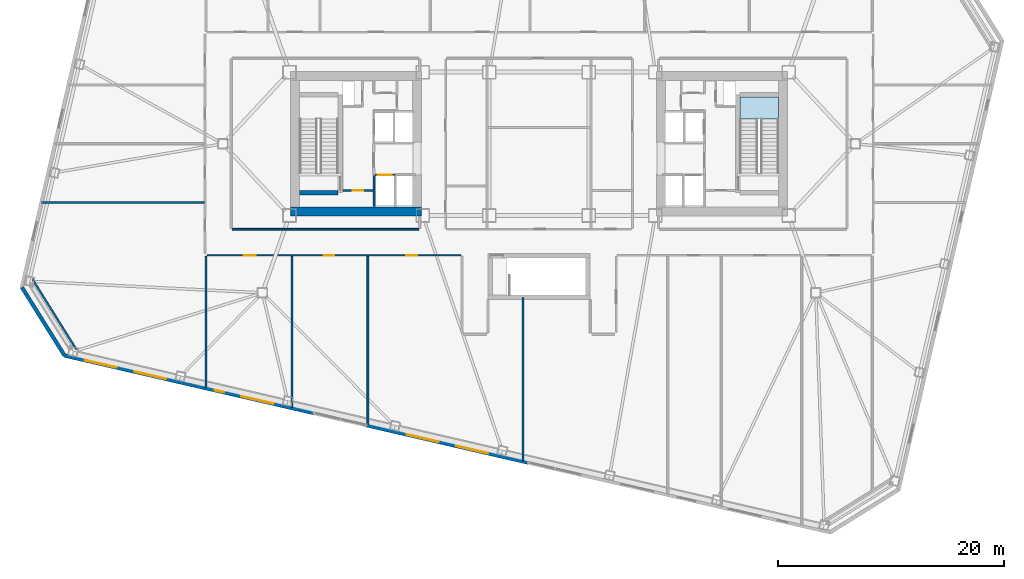
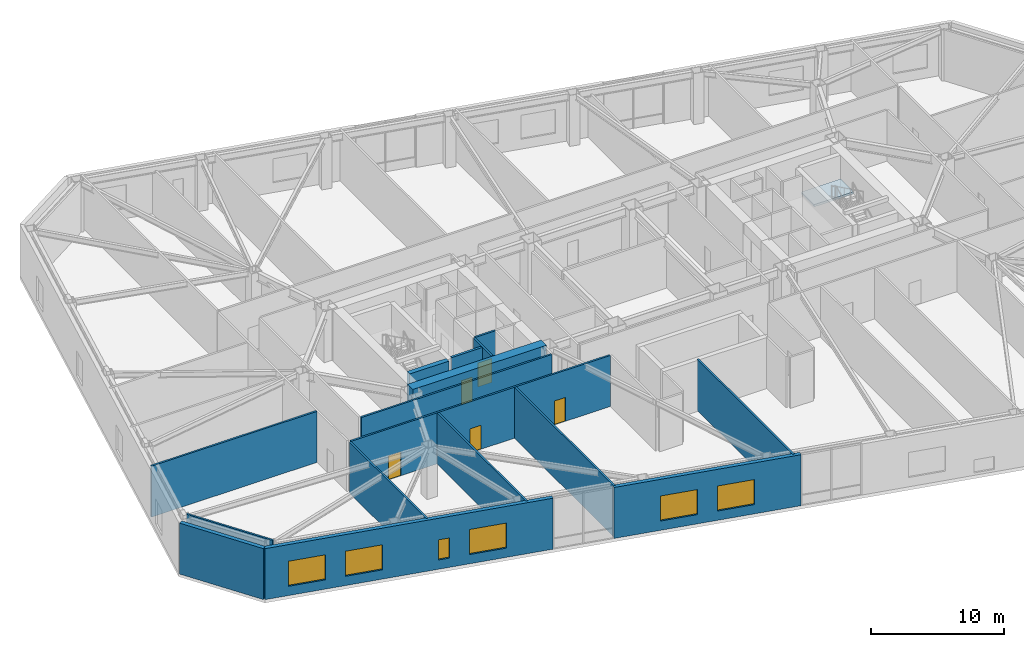
# One storey, part 9 of 19: 16 walls, 6 windows, 5 doors, 1 slab, 11 openings, 1 element without a shape of its own.
"""IFC4 building model written with IfcOpenShell, lengths in metres."""

from ifc_helpers import new_model, si_unit, direction, frame, frame_2d, origin, place, context, subcontext, project, spatial, polyline, rectangle, outline, extrude, material, layer, layer_set, type_object, element, fill, aggregate, save


model = new_model("IFC4")

# Units and contexts
model_context = context("Model", 3, precision=1e-05, world=origin(), true_north=direction((0.0, 1.0)))
body_context = subcontext(model_context, "Body", "Model", "MODEL_VIEW")
ifc_project = project(units=[si_unit("LENGTHUNIT", "METRE"), si_unit("AREAUNIT", "SQUARE_METRE"), si_unit("VOLUMEUNIT", "CUBIC_METRE"), si_unit("PLANEANGLEUNIT", "RADIAN"), si_unit("MASSUNIT", "GRAM", prefix="KILO")], contexts=[model_context])

# Site, building, storey
site_placement = place(None, origin())
site = spatial("IfcSite", under=ifc_project, at=site_placement, CompositionType="ELEMENT")
building_placement = place(site_placement, origin())
building = spatial("IfcBuilding", under=site, at=building_placement, Name="Tavrogorsk Clinical Tower", CompositionType="ELEMENT")
storey_placement = place(building_placement, frame((0.0, 0.0, 28.39990234375)))
storey = spatial("IfcBuildingStorey", under=building, at=storey_placement, Name="L05", CompositionType="ELEMENT", Elevation=28.39990234375)

# Stair, slab
ifc_material_1 = material(Name="Concrete B60", Category="concrete")
stair_type = type_object("IfcStairType", Name="CoreStairAssembly", PredefinedType="HALF_TURN_STAIR", material=ifc_material_1)
stair_placement = place(storey_placement, origin())
stair = element("IfcStair", 1, at=stair_placement, inside=storey, type_object=stair_type, Name="L05 ST-E", PredefinedType="HALF_TURN_STAIR")
ifc_material_2 = material(Name="Concrete B60", Category="concrete")
ifc_layer_1 = layer(ifc_material_2, 0.199951171875)
ifc_layer_set_1 = layer_set([ifc_layer_1], Name="Concrete B60")
slab_type = type_object("IfcSlabType", Name="StairLanding_200", PredefinedType="LANDING", material=ifc_layer_set_1)
slab_placement = place(storey_placement, frame((0.0, 0.0, 2.300048828125)))
slab = element("IfcSlab", 2, at=slab_placement, type_object=slab_type, Name="ST-E landing 1", PredefinedType="LANDING", context=body_context, shape_type="SweptSolid", body=[
    extrude(outline(polyline([(21.199951171875, 2.18505859375), (21.199951171875, 4.125), (17.800048828125, 4.125), (17.800048828125, 2.18505859375), (21.199951171875, 2.18505859375)])), origin(), (0.0, 0.0, 1.0), 0.199951171875),
])
aggregate(stair, [slab])

# Wall, opening, door
ifc_material_3 = material(Name="Concrete B60", Category="concrete")
ifc_layer_2 = layer(ifc_material_3, 0.199951171875)
ifc_layer_set_2 = layer_set([ifc_layer_2], Name="Concrete B60")
wall_type_1 = type_object("IfcWallType", Name="CoreFireWall_200", PredefinedType="SOLIDWALL", material=ifc_layer_set_2)
wall_1_placement = place(storey_placement, frame((-17.3798828125, -4.139892578125, 0.0), z_axis=(0.0, 0.0, 1.0), x_axis=(1.0, 0.0, 0.0)))
wall_1 = element("IfcWall", 3, at=wall_1_placement, inside=storey, type_object=wall_type_1, Name="L05 Core West South Core Room Fire Wall", PredefinedType="SOLIDWALL", context=body_context, shape_type="SweptSolid", body=[
    extrude(rectangle(XDim=2.659912109375, YDim=0.199951171875, at=frame_2d((1.330078125, 0.0))), origin(), (0.0, 0.0, 1.0), 4.68017578125),
])
opening_1_placement = place(wall_1_placement, frame((0.8798828125, 0.0, 0.0)))
opening_1 = element("IfcOpeningElement", 4, at=opening_1_placement, cuts=wall_1, Name="Opening ID-02", PredefinedType="OPENING", context=body_context, shape_type="SweptSolid", body=[
    extrude(rectangle(XDim=0.949951171875, YDim=2.199951171875, at=frame_2d((0.47509765625, 1.10009765625))), frame((0.0, 0.10986328125, 0.0), z_axis=(0.0, -1.0, 0.0), x_axis=(1.0, 0.0, 0.0)), (0.0, 0.0, 1.0), 0.219970703125),
])
ifc_material_4 = material(Name="Laminated timber leaf on aluminium frame", Category="wood")
door_type_1 = type_object("IfcDoorType", Name="InteriorDoor_ID02_950", OperationType="NOTDEFINED", PredefinedType="DOOR", material=ifc_material_4)
door_1_placement = place(opening_1_placement, origin())
door_1 = element("IfcDoor", 5, at=door_1_placement, inside=storey, type_object=door_type_1, Name="L05 Core West South Core Room Door", OperationType="SINGLE_SWING_RIGHT", OverallHeight=2.199951171875, OverallWidth=0.949951171875, PredefinedType="DOOR", context=body_context, shape_type="SweptSolid", body=[
    extrude(rectangle(XDim=0.949951171875, YDim=2.199951171875, at=frame_2d((0.47509765625, 1.10009765625))), frame((0.0, 0.02490234375, 0.0), z_axis=(0.0, -1.0, 0.0), x_axis=(1.0, 0.0, 0.0)), (0.0, 0.0, 1.0), 0.050048828125),
])
fill(opening_1, door_1)

# Wall
ifc_material_5 = material(Name="Lightweight concrete blockwork B15", Category="masonry")
ifc_layer_3 = layer(ifc_material_5, 0.159912109375)
ifc_layer_set_3 = layer_set([ifc_layer_3], Name="Lightweight concrete blockwork B15")
wall_type_2 = type_object("IfcWallType", Name="PartitionWall_160", PredefinedType="PARTITIONING", material=ifc_layer_set_3)
wall_2_placement = place(storey_placement, frame((-44.85986328125, -11.9892578125, 0.0), z_axis=(0.0, 0.0, 1.0), x_axis=(0.52991239767, -0.848052386823, 0.0)))
element("IfcWall", 6, at=wall_2_placement, inside=storey, type_object=wall_type_2, Name="L05 Corner Exoskeleton Brace Furring Wall 4", PredefinedType="PARTITIONING", context=body_context, shape_type="SweptSolid", body=[
    extrude(rectangle(XDim=7.35400390625, YDim=0.159912109375, at=frame_2d((3.677001953125, 0.0))), origin(), (0.0, 0.0, 1.0), 4.68017578125),
])

# Wall, openings, doors
wall_3_placement = place(storey_placement, frame((-6.9150390625, -9.8798828125, 0.0), z_axis=(0.0, 0.0, 1.0), x_axis=(-1.0, 0.0, 0.0)))
wall_3 = element("IfcWall", 7, at=wall_3_placement, inside=storey, type_object=wall_type_2, Name="L05 Corridor Partition 11", PredefinedType="PARTITIONING", context=body_context, shape_type="SweptSolid", body=[
    extrude(rectangle(XDim=22.5, YDim=0.159912109375, at=frame_2d((11.25, 0.0))), origin(), (0.0, 0.0, 1.0), 4.68017578125),
])
opening_2_placement = place(wall_3_placement, frame((18.19091796875, 0.0, 0.0)))
opening_2 = element("IfcOpeningElement", 8, at=opening_2_placement, cuts=wall_3, Name="Opening ID-04", PredefinedType="OPENING", context=body_context, shape_type="SweptSolid", body=[
    extrude(rectangle(XDim=1.050048828125, YDim=2.199951171875, at=frame_2d((0.52490234375, 1.10009765625))), frame((0.0, 0.08984375, 0.0), z_axis=(0.0, -1.0, 0.0), x_axis=(1.0, 0.0, 0.0)), (0.0, 0.0, 1.0), 0.179931640625),
])
opening_3_placement = place(wall_3_placement, frame((11.215087890625, 0.0, 0.0)))
opening_3 = element("IfcOpeningElement", 9, at=opening_3_placement, cuts=wall_3, Name="Opening ID-02", PredefinedType="OPENING", context=body_context, shape_type="SweptSolid", body=[
    extrude(rectangle(XDim=0.949951171875, YDim=2.199951171875, at=frame_2d((0.47509765625, 1.10009765625))), frame((0.0, 0.08984375, 0.0), z_axis=(0.0, -1.0, 0.0), x_axis=(1.0, 0.0, 0.0)), (0.0, 0.0, 1.0), 0.179931640625),
])
opening_4_placement = place(wall_3_placement, frame((3.884033203125, 0.0, 0.0)))
opening_4 = element("IfcOpeningElement", 10, at=opening_4_placement, cuts=wall_3, Name="Opening ID-02", PredefinedType="OPENING", context=body_context, shape_type="SweptSolid", body=[
    extrude(rectangle(XDim=0.949951171875, YDim=2.199951171875, at=frame_2d((0.47509765625, 1.10009765625))), frame((0.0, 0.08984375, 0.0), z_axis=(0.0, -1.0, 0.0), x_axis=(1.0, 0.0, 0.0)), (0.0, 0.0, 1.0), 0.179931640625),
])
ifc_material_6 = material(Name="Antibacterial HPL consultation door on aluminium frame", Category="aluminium")
door_type_2 = type_object("IfcDoorType", Name="ConsultDoor_ID04_1050", OperationType="NOTDEFINED", PredefinedType="DOOR", material=ifc_material_6)
door_2_placement = place(opening_2_placement, origin())
door_2 = element("IfcDoor", 11, at=door_2_placement, inside=storey, type_object=door_type_2, Name="L05 South Critical Care Case Seminar Room 01A Door", OperationType="SINGLE_SWING_RIGHT", OverallHeight=2.199951171875, OverallWidth=1.050048828125, PredefinedType="DOOR", context=body_context, shape_type="SweptSolid", body=[
    extrude(rectangle(XDim=1.050048828125, YDim=2.199951171875, at=frame_2d((0.52490234375, 1.10009765625))), frame((0.0, 0.02490234375, 0.0), z_axis=(0.0, -1.0, 0.0), x_axis=(1.0, 0.0, 0.0)), (0.0, 0.0, 1.0), 0.050048828125),
])
fill(opening_2, door_2)
door_3_placement = place(opening_3_placement, origin())
door_3 = element("IfcDoor", 12, at=door_3_placement, inside=storey, type_object=door_type_1, Name="L05 South ICU Family Quiet Lounge 01B Door", OperationType="SINGLE_SWING_LEFT", OverallHeight=2.199951171875, OverallWidth=0.949951171875, PredefinedType="DOOR", context=body_context, shape_type="SweptSolid", body=[
    extrude(rectangle(XDim=0.949951171875, YDim=2.199951171875, at=frame_2d((0.47509765625, 1.10009765625))), frame((0.0, 0.02490234375, 0.0), z_axis=(0.0, -1.0, 0.0), x_axis=(1.0, 0.0, 0.0)), (0.0, 0.0, 1.0), 0.050048828125),
])
fill(opening_3, door_3)
door_4_placement = place(opening_4_placement, origin())
door_4 = element("IfcDoor", 13, at=door_4_placement, inside=storey, type_object=door_type_1, Name="L05 South Intensivist Consultation Office 02A Door", OperationType="SINGLE_SWING_RIGHT", OverallHeight=2.199951171875, OverallWidth=0.949951171875, PredefinedType="DOOR", context=body_context, shape_type="SweptSolid", body=[
    extrude(rectangle(XDim=0.949951171875, YDim=2.199951171875, at=frame_2d((0.47509765625, 1.10009765625))), frame((0.0, 0.02490234375, 0.0), z_axis=(0.0, -1.0, 0.0), x_axis=(1.0, 0.0, 0.0)), (0.0, 0.0, 1.0), 0.050048828125),
])
fill(opening_4, door_4)

# Walls
wall_4_placement = place(storey_placement, frame((-27.18505859375, -7.570068359375, 0.0), z_axis=(0.0, 0.0, 1.0), x_axis=(1.0, 0.0, 0.0)))
element("IfcWall", 14, at=wall_4_placement, inside=storey, type_object=wall_type_2, Name="L05 Corridor Partition 25", PredefinedType="PARTITIONING", context=body_context, shape_type="SweptSolid", body=[
    extrude(rectangle(XDim=16.52001953125, YDim=0.159912109375, at=frame_2d((8.260009765625, 0.0))), origin(), (0.0, 0.0, 1.0), 4.68017578125),
])
wall_5_placement = place(storey_placement, frame((-29.5, -21.570556640625, 0.0), z_axis=(0.0, 0.0, 1.0), x_axis=(0.0, 1.0, 0.0)))
element("IfcWall", 15, at=wall_5_placement, inside=storey, type_object=wall_type_2, Name="L05 SW Wing Closure Partition", PredefinedType="PARTITIONING", context=body_context, shape_type="SweptSolid", body=[
    extrude(rectangle(XDim=11.60546875, YDim=0.159912109375, at=frame_2d((5.802734375, 0.0))), origin(), (0.0, 0.0, 1.0), 4.68017578125),
])
wall_6_placement = place(storey_placement, frame((-15.159912109375, -24.881103515625, 0.0), z_axis=(0.0, 0.0, 1.0), x_axis=(0.0, 1.0, 0.0)))
element("IfcWall", 16, at=wall_6_placement, inside=storey, type_object=wall_type_2, Name="L05 South Room Partition 1", PredefinedType="PARTITIONING", context=body_context, shape_type="SweptSolid", body=[
    extrude(rectangle(XDim=14.916015625, YDim=0.159912109375, at=frame_2d((7.4580078125, 0.0))), origin(), (0.0, 0.0, 1.0), 4.68017578125),
])
wall_7_placement = place(storey_placement, frame((-21.8798828125, -23.329833984375, 0.0), z_axis=(0.0, 0.0, 1.0), x_axis=(0.0, 1.0, 0.0)))
element("IfcWall", 17, at=wall_7_placement, inside=storey, type_object=wall_type_2, Name="L05 South Sub-Partition 1", PredefinedType="PARTITIONING", context=body_context, shape_type="SweptSolid", body=[
    extrude(rectangle(XDim=13.36474609375, YDim=0.159912109375, at=frame_2d((6.682373046875, 0.0))), origin(), (0.0, 0.0, 1.0), 4.68017578125),
])
wall_8_placement = place(storey_placement, frame((-1.429931640625, -28.051025390625, 0.0), z_axis=(0.0, 0.0, 1.0), x_axis=(0.0, 1.0, 0.0)))
element("IfcWall", 18, at=wall_8_placement, inside=storey, type_object=wall_type_2, Name="L05 South Sub-Partition 2", PredefinedType="PARTITIONING", context=body_context, shape_type="SweptSolid", body=[
    extrude(rectangle(XDim=14.4111328125, YDim=0.159912109375, at=frame_2d((7.20556640625, 0.0))), origin(), (0.0, 0.0, 1.0), 4.68017578125),
])
wall_9_placement = place(storey_placement, frame((-44.0419921875, -5.199951171875, 0.0), z_axis=(0.0, 0.0, 1.0), x_axis=(1.0, 0.0, 0.0)))
element("IfcWall", 19, at=wall_9_placement, inside=storey, type_object=wall_type_2, Name="L05 W Wing Divider 1", PredefinedType="PARTITIONING", context=body_context, shape_type="SweptSolid", body=[
    extrude(rectangle(XDim=14.376953125, YDim=0.159912109375, at=frame_2d((7.1884765625, 0.0))), origin(), (0.0, 0.0, 1.0), 4.68017578125),
])

# Wall, openings, windows
ifc_material_7 = material(Name="Precast concrete B45 with limestone cladding", Category="masonry")
ifc_layer_4 = layer(ifc_material_7, 0.340087890625)
ifc_layer_set_4 = layer_set([ifc_layer_4], Name="Precast concrete B45 with limestone cladding")
wall_type_3 = type_object("IfcWallType", Name="PrecastLimestoneWall_340", PredefinedType="STANDARD", material=ifc_layer_set_4)
wall_10_placement = place(storey_placement, frame((-42.028564453125, -18.75, 0.0), z_axis=(0.0, 0.0, 1.0), x_axis=(0.97436993772, -0.224951604723, 0.0)))
wall_10 = element("IfcWall", 20, at=wall_10_placement, inside=storey, type_object=wall_type_3, Name="L05 S Limestone Facade Wall 1", PredefinedType="STANDARD", context=body_context, shape_type="SweptSolid", body=[
    extrude(rectangle(XDim=22.6513671875, YDim=0.340087890625, at=frame_2d((11.32568359375, 0.0))), origin(), (0.0, 0.0, 1.0), 4.68017578125),
])
opening_5_placement = place(wall_10_placement, frame((1.862060546875, 0.0, 0.85009765625)))
opening_5 = element("IfcOpeningElement", 21, at=opening_5_placement, cuts=wall_10, Name="Opening WN-10", PredefinedType="OPENING", context=body_context, shape_type="SweptSolid", body=[
    extrude(rectangle(XDim=2.89990234375, YDim=2.300048828125, at=frame_2d((1.449951171875, 1.14990234375))), frame((0.0, 0.179931640625, 0.0), z_axis=(0.0, -1.0, 0.0), x_axis=(1.0, 0.0, 0.0)), (0.0, 0.0, 1.0), 0.360107421875),
])
opening_6_placement = place(wall_10_placement, frame((6.346435546875, 0.0, 0.85009765625)))
opening_6 = element("IfcOpeningElement", 22, at=opening_6_placement, cuts=wall_10, Name="Opening WN-10", PredefinedType="OPENING", context=body_context, shape_type="SweptSolid", body=[
    extrude(rectangle(XDim=2.89990234375, YDim=2.300048828125, at=frame_2d((1.449951171875, 1.14990234375))), frame((0.0, 0.179931640625, 0.0), z_axis=(0.0, -1.0, 0.0), x_axis=(1.0, 0.0, 0.0)), (0.0, 0.0, 1.0), 0.360107421875),
])
opening_7_placement = place(wall_10_placement, frame((13.66064453125, 0.0, 0.85009765625)))
opening_7 = element("IfcOpeningElement", 23, at=opening_7_placement, cuts=wall_10, Name="Opening WN-06", PredefinedType="OPENING", context=body_context, shape_type="SweptSolid", body=[
    extrude(rectangle(XDim=0.85009765625, YDim=1.85009765625, at=frame_2d((0.425048828125, 0.925048828125))), frame((0.0, 0.179931640625, 0.0), z_axis=(0.0, -1.0, 0.0), x_axis=(1.0, 0.0, 0.0)), (0.0, 0.0, 1.0), 0.360107421875),
])
opening_8_placement = place(wall_10_placement, frame((16.094970703125, 0.0, 0.85009765625)))
opening_8 = element("IfcOpeningElement", 24, at=opening_8_placement, cuts=wall_10, Name="Opening WN-10", PredefinedType="OPENING", context=body_context, shape_type="SweptSolid", body=[
    extrude(rectangle(XDim=2.89990234375, YDim=2.300048828125, at=frame_2d((1.449951171875, 1.14990234375))), frame((0.0, 0.179931640625, 0.0), z_axis=(0.0, -1.0, 0.0), x_axis=(1.0, 0.0, 0.0)), (0.0, 0.0, 1.0), 0.360107421875),
])
ifc_material_8 = material(Name="Thermally broken aluminium frame and triple IGU", Category="aluminium")
window_type_1 = type_object("IfcWindowType", Name="DiagnosticWin_2900x2300", PartitioningType="TRIPLE_PANEL_HORIZONTAL", PredefinedType="WINDOW", material=ifc_material_8)
window_1_placement = place(opening_5_placement, origin())
window_1 = element("IfcWindow", 25, at=window_1_placement, inside=storey, type_object=window_type_1, Name="L05 S Chicago Window 01", OverallHeight=2.300048828125, OverallWidth=2.89990234375, PartitioningType="SINGLE_PANEL", PredefinedType="WINDOW", context=body_context, shape_type="SweptSolid", body=[
    extrude(rectangle(XDim=2.89990234375, YDim=2.300048828125, at=frame_2d((1.449951171875, 1.14990234375))), frame((0.0, 0.030029296875, 0.0), z_axis=(0.0, -1.0, 0.0), x_axis=(1.0, 0.0, 0.0)), (0.0, 0.0, 1.0), 0.06005859375),
])
fill(opening_5, window_1)
window_2_placement = place(opening_6_placement, origin())
window_2 = element("IfcWindow", 26, at=window_2_placement, inside=storey, type_object=window_type_1, Name="L05 S Chicago Window 02", OverallHeight=2.300048828125, OverallWidth=2.89990234375, PartitioningType="SINGLE_PANEL", PredefinedType="WINDOW", context=body_context, shape_type="SweptSolid", body=[
    extrude(rectangle(XDim=2.89990234375, YDim=2.300048828125, at=frame_2d((1.449951171875, 1.14990234375))), frame((0.0, 0.030029296875, 0.0), z_axis=(0.0, -1.0, 0.0), x_axis=(1.0, 0.0, 0.0)), (0.0, 0.0, 1.0), 0.06005859375),
])
fill(opening_6, window_2)
window_3_placement = place(opening_8_placement, origin())
window_3 = element("IfcWindow", 27, at=window_3_placement, inside=storey, type_object=window_type_1, Name="L05 S Chicago Window 04", OverallHeight=2.300048828125, OverallWidth=2.89990234375, PartitioningType="SINGLE_PANEL", PredefinedType="WINDOW", context=body_context, shape_type="SweptSolid", body=[
    extrude(rectangle(XDim=2.89990234375, YDim=2.300048828125, at=frame_2d((1.449951171875, 1.14990234375))), frame((0.0, 0.030029296875, 0.0), z_axis=(0.0, -1.0, 0.0), x_axis=(1.0, 0.0, 0.0)), (0.0, 0.0, 1.0), 0.06005859375),
])
fill(opening_8, window_3)
ifc_material_9 = material(Name="Thermally broken aluminium frame and triple IGU", Category="aluminium")
window_type_2 = type_object("IfcWindowType", Name="MullionSubWin_850x1850", PartitioningType="SINGLE_PANEL", PredefinedType="WINDOW", material=ifc_material_9)
window_4_placement = place(opening_7_placement, origin())
window_4 = element("IfcWindow", 28, at=window_4_placement, inside=storey, type_object=window_type_2, Name="L05 S Mullion Split Window 03B", OverallHeight=1.85009765625, OverallWidth=0.85009765625, PartitioningType="SINGLE_PANEL", PredefinedType="WINDOW", context=body_context, shape_type="SweptSolid", body=[
    extrude(rectangle(XDim=0.85009765625, YDim=1.85009765625, at=frame_2d((0.425048828125, 0.925048828125))), frame((0.0, 0.030029296875, 0.0), z_axis=(0.0, -1.0, 0.0), x_axis=(1.0, 0.0, 0.0)), (0.0, 0.0, 1.0), 0.06005859375),
])
fill(opening_7, window_4)

wall_11_placement = place(storey_placement, frame((-15.28076171875, -24.925048828125, 0.0), z_axis=(0.0, 0.0, 1.0), x_axis=(0.974370193991, -0.22495049469, 0.0)))
wall_11 = element("IfcWall", 29, at=wall_11_placement, inside=storey, type_object=wall_type_3, Name="L05 S Limestone Facade Wall 2", PredefinedType="STANDARD", context=body_context, shape_type="SweptSolid", body=[
    extrude(rectangle(XDim=14.697265625, YDim=0.340087890625, at=frame_2d((7.3486328125, 0.0))), origin(), (0.0, 0.0, 1.0), 4.68017578125),
])
opening_9_placement = place(wall_11_placement, frame((3.656494140625, 0.0, 0.85009765625)))
opening_9 = element("IfcOpeningElement", 30, at=opening_9_placement, cuts=wall_11, Name="Opening WN-10", PredefinedType="OPENING", context=body_context, shape_type="SweptSolid", body=[
    extrude(rectangle(XDim=2.89990234375, YDim=2.300048828125, at=frame_2d((1.449951171875, 1.14990234375))), frame((0.0, 0.179931640625, 0.0), z_axis=(0.0, -1.0, 0.0), x_axis=(1.0, 0.0, 0.0)), (0.0, 0.0, 1.0), 0.360107421875),
])
opening_10_placement = place(wall_11_placement, frame((8.140869140625, 0.0, 0.85009765625)))
opening_10 = element("IfcOpeningElement", 31, at=opening_10_placement, cuts=wall_11, Name="Opening WN-10", PredefinedType="OPENING", context=body_context, shape_type="SweptSolid", body=[
    extrude(rectangle(XDim=2.89990234375, YDim=2.300048828125, at=frame_2d((1.449951171875, 1.14990234375))), frame((0.0, 0.179931640625, 0.0), z_axis=(0.0, -1.0, 0.0), x_axis=(1.0, 0.0, 0.0)), (0.0, 0.0, 1.0), 0.360107421875),
])
window_5_placement = place(opening_9_placement, origin())
window_5 = element("IfcWindow", 32, at=window_5_placement, inside=storey, type_object=window_type_1, Name="L05 S Chicago Window 05", OverallHeight=2.300048828125, OverallWidth=2.89990234375, PartitioningType="SINGLE_PANEL", PredefinedType="WINDOW", context=body_context, shape_type="SweptSolid", body=[
    extrude(rectangle(XDim=2.89990234375, YDim=2.300048828125, at=frame_2d((1.449951171875, 1.14990234375))), frame((0.0, 0.030029296875, 0.0), z_axis=(0.0, -1.0, 0.0), x_axis=(1.0, 0.0, 0.0)), (0.0, 0.0, 1.0), 0.06005859375),
])
fill(opening_9, window_5)
window_6_placement = place(opening_10_placement, origin())
window_6 = element("IfcWindow", 33, at=window_6_placement, inside=storey, type_object=window_type_1, Name="L05 S Chicago Window 06", OverallHeight=2.300048828125, OverallWidth=2.89990234375, PartitioningType="SINGLE_PANEL", PredefinedType="WINDOW", context=body_context, shape_type="SweptSolid", body=[
    extrude(rectangle(XDim=2.89990234375, YDim=2.300048828125, at=frame_2d((1.449951171875, 1.14990234375))), frame((0.0, 0.030029296875, 0.0), z_axis=(0.0, -1.0, 0.0), x_axis=(1.0, 0.0, 0.0)), (0.0, 0.0, 1.0), 0.06005859375),
])
fill(opening_10, window_6)

# Wall
wall_12_placement = place(storey_placement, frame((-45.798095703125, -12.71728515625, 0.0), z_axis=(0.0, 0.0, 1.0), x_axis=(0.529906387556, -0.848056142261, 0.0)))
element("IfcWall", 34, at=wall_12_placement, inside=storey, type_object=wall_type_3, Name="L05 Chamfered Corner Wall 4", PredefinedType="STANDARD", context=body_context, shape_type="SweptSolid", body=[
    extrude(rectangle(XDim=7.113525390625, YDim=0.340087890625, at=frame_2d((3.556640625, 0.0))), origin(), (0.0, 0.0, 1.0), 4.68017578125),
])

# Wall, opening, door
ifc_material_10 = material(Name="Lightweight concrete blockwork B25", Category="masonry")
ifc_layer_5 = layer(ifc_material_10, 0.159912109375)
ifc_layer_set_5 = layer_set([ifc_layer_5], Name="Lightweight concrete blockwork B25")
wall_type_4 = type_object("IfcWallType", Name="ShaftWall_160", PredefinedType="PARTITIONING", material=ifc_layer_set_5)
wall_13_placement = place(storey_placement, frame((-14.530029296875, -2.75, 0.0), z_axis=(0.0, 0.0, 1.0), x_axis=(1.0, 0.0, 0.0)))
wall_13 = element("IfcWall", 35, at=wall_13_placement, inside=storey, type_object=wall_type_4, Name="L05 LP-L1 Lift Shaft Portal Wall", PredefinedType="PARTITIONING", context=body_context, shape_type="SweptSolid", body=[
    extrude(rectangle(XDim=1.760009765625, YDim=0.159912109375, at=frame_2d((0.8798828125, 0.0))), origin(), (0.0, 0.0, 1.0), 4.68017578125),
])
opening_11_placement = place(wall_13_placement, frame((0.280029296875, 0.0, 0.0)))
opening_11 = element("IfcOpeningElement", 36, at=opening_11_placement, cuts=wall_13, Name="Opening LD", PredefinedType="OPENING", context=body_context, shape_type="SweptSolid", body=[
    extrude(rectangle(XDim=1.199951171875, YDim=2.199951171875, at=frame_2d((0.60009765625, 1.10009765625))), frame((0.0, 0.08984375, 0.0), z_axis=(0.0, -1.0, 0.0), x_axis=(1.0, 0.0, 0.0)), (0.0, 0.0, 1.0), 0.179931640625),
])
ifc_material_11 = material(Name="Brushed stainless steel AISI 304 sliding doors", Category="steel")
door_type_3 = type_object("IfcDoorType", Name="LiftLandingDoor_LD_1200", OperationType="SLIDING_TO_LEFT", PredefinedType="DOOR", material=ifc_material_11)
door_5_placement = place(opening_11_placement, origin())
door_5 = element("IfcDoor", 37, at=door_5_placement, inside=storey, type_object=door_type_3, Name="L05 LP-L1 Sliding Lift Landing Door", OperationType="SLIDING_TO_LEFT", OverallHeight=2.199951171875, OverallWidth=1.199951171875, PredefinedType="DOOR", context=body_context, shape_type="SweptSolid", body=[
    extrude(rectangle(XDim=1.199951171875, YDim=2.199951171875, at=frame_2d((0.60009765625, 1.10009765625))), frame((0.0, 0.02490234375, 0.0), z_axis=(0.0, -1.0, 0.0), x_axis=(1.0, 0.0, 0.0)), (0.0, 0.0, 1.0), 0.050048828125),
])
fill(opening_11, door_5)

# Walls
wall_14_placement = place(storey_placement, frame((-14.610107421875, -5.5400390625, 0.0), z_axis=(0.0, 0.0, 1.0), x_axis=(0.0, 1.0, 0.0)))
element("IfcWall", 38, at=wall_14_placement, inside=storey, type_object=wall_type_4, Name="L05 LP-L1 Lift Hoistway Outer Cheek Wall", PredefinedType="PARTITIONING", context=body_context, shape_type="SweptSolid", body=[
    extrude(rectangle(XDim=2.699951171875, YDim=0.159912109375, at=frame_2d((1.35009765625, 0.0))), origin(), (0.0, 0.0, 1.0), 4.68017578125),
])
ifc_material_12 = material(Name="Concrete B80", Category="concrete")
ifc_layer_6 = layer(ifc_material_12, 0.39990234375)
ifc_layer_set_6 = layer_set([ifc_layer_6], Name="Concrete B80")
wall_type_5 = type_object("IfcWallType", Name="ShearWall_400", PredefinedType="SHEAR", material=ifc_layer_set_6)
wall_15_placement = place(storey_placement, frame((-21.199951171875, -4.324951171875, 0.0), z_axis=(0.0, 0.0, 1.0), x_axis=(1.0, 0.0, 0.0)))
element("IfcWall", 39, at=wall_15_placement, inside=storey, type_object=wall_type_5, Name="L05 Core West Stair Shaft South Shear Wall", PredefinedType="SHEAR", context=body_context, shape_type="SweptSolid", body=[
    extrude(rectangle(XDim=3.39990234375, YDim=0.39990234375, at=frame_2d((1.699951171875, 0.0))), origin(), (0.0, 0.0, 1.0), 4.68017578125),
])
ifc_material_13 = material(Name="Concrete B80", Category="concrete")
ifc_layer_7 = layer(ifc_material_13, 0.800048828125)
ifc_layer_set_7 = layer_set([ifc_layer_7], Name="Concrete B80")
wall_type_6 = type_object("IfcWallType", Name="ShearWall_800", PredefinedType="SHEAR", material=ifc_layer_set_7)
wall_16_placement = place(storey_placement, frame((-22.0, -6.0, 0.0), z_axis=(0.0, 0.0, 1.0), x_axis=(1.0, 0.0, 0.0)))
element("IfcWall", 40, at=wall_16_placement, inside=storey, type_object=wall_type_6, Name="L05 Core West South Shear Wall", PredefinedType="SHEAR", context=body_context, shape_type="SweptSolid", body=[
    extrude(rectangle(XDim=11.60009765625, YDim=0.800048828125, at=frame_2d((5.800048828125, 0.0))), origin(), (0.0, 0.0, 1.0), 4.68017578125),
])

save(model, "model.ifc")
